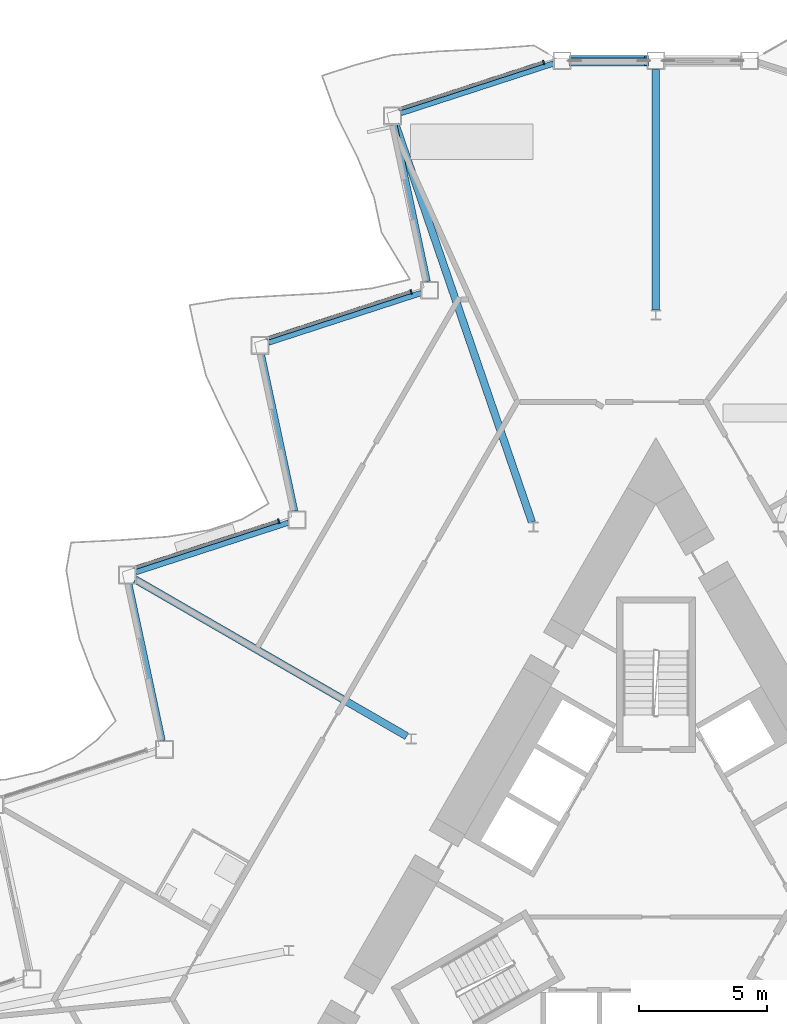
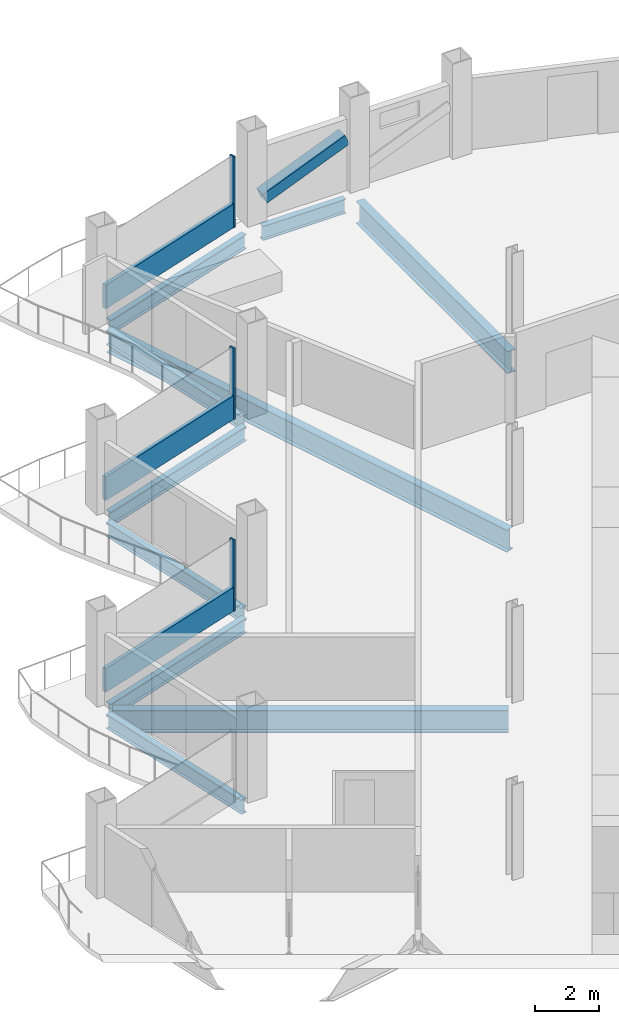
# One storey, part 8 of 23: 10 beams, 7 members, 3 elements without a shape of their own.
"""IFC4 building model written with IfcOpenShell, lengths in metres."""

from ifc_helpers import new_model, si_unit, direction, frame, origin, origin_2d, place, context, subcontext, project, spatial, rectangle, hollow_rectangle, i_section, extrude, material, layer, layer_set, material_profile, profile_set, type_object, element, aggregate, save


model = new_model("IFC4")

# Units and contexts
model_context = context("Model", 3, precision=1e-05, world=origin(), true_north=direction((0.0, 1.0)))
body_context = subcontext(model_context, "Body", "Model", "MODEL_VIEW")
ifc_project = project(units=[si_unit("LENGTHUNIT", "METRE"), si_unit("AREAUNIT", "SQUARE_METRE"), si_unit("VOLUMEUNIT", "CUBIC_METRE"), si_unit("PLANEANGLEUNIT", "RADIAN"), si_unit("MASSUNIT", "GRAM", prefix="KILO")], contexts=[model_context])

# Site, building, storey
site_placement = place(None, origin())
site = spatial("IfcSite", under=ifc_project, at=site_placement, CompositionType="ELEMENT")
building_placement = place(site_placement, origin())
building = spatial("IfcBuilding", under=site, at=building_placement, Name="Cormorant Prow Tower", CompositionType="ELEMENT")
storey_placement = place(building_placement, frame((0.0, 0.0, 263.39990234375)))
storey = spatial("IfcBuildingStorey", under=building, at=storey_placement, Name="L59", CompositionType="ELEMENT", Elevation=263.39990234375)

# Member
ifc_material_1 = material(Name="Structural steel ASTM A500 Gr C", Category="steel")
ifc_material_profile_1 = material_profile(ifc_material_1, hollow_rectangle(XDim=0.406494140625, YDim=0.406494140625, WallThickness=0.01171875, at=origin_2d()), Name="HSS16x16x1/2")
ifc_profile_set_1 = profile_set([ifc_material_profile_1], Name="Structural steel ASTM A500 Gr C")
member_type_1 = type_object("IfcMemberType", Name="Chamfer brace HSS16x16x1/2", PredefinedType="BRACE", material=ifc_profile_set_1)
member_1_placement = place(storey_placement, frame((-3.3046875, 32.073486328125, 0.74951171875), z_axis=(0.925591042089, 0.0, 0.37852506232), x_axis=(0.0, 1.0, 0.0)))
element("IfcMember", 1, at=member_1_placement, inside=storey, type_object=member_type_1, Name="Chamfer brace BR2 at N01 L59", PredefinedType="BRACE", context=body_context, shape_type="SweptSolid", body=[
    extrude(hollow_rectangle(XDim=0.406494140625, YDim=0.406494140625, WallThickness=0.01171875, at=origin_2d()), origin(), (0.0, 0.0, 1.0), 3.17529296875),
])

# Curtain wall, member
ifc_material_2 = material(Name="Aluminium 6063-T6", Category="aluminium")
ifc_layer = layer(ifc_material_2, 0.179931640625)
ifc_layer_set = layer_set([ifc_layer], Name="Aluminium 6063-T6")
curtain_wall_type = type_object("IfcCurtainWallType", Name="Hotel unitised curtain wall 180", PredefinedType="NOTDEFINED", material=ifc_layer_set)
curtain_wall_1_placement = place(storey_placement, origin())
curtain_wall_1 = element("IfcCurtainWall", 2, at=curtain_wall_1_placement, inside=storey, type_object=curtain_wall_type, Name="Hotel curtain wall WNW00", PredefinedType="NOTDEFINED")
ifc_material_3 = material(Name="Aluminium 6063-T6", Category="aluminium")
ifc_material_profile_2 = material_profile(ifc_material_3, rectangle(XDim=0.179931640625, YDim=0.06005859375, at=origin_2d()), Name="Hotel mullion 60x180")
ifc_profile_set_2 = profile_set([ifc_material_profile_2], Name="Aluminium 6063-T6")
member_type_2 = type_object("IfcMemberType", Name="Hotel mullion 60x180", PredefinedType="MULLION", material=ifc_profile_set_2)
member_2_placement = place(storey_placement, frame((-4.39794921875, 32.005615234375, 0.0), z_axis=(0.0, 0.0, 1.0), x_axis=(0.309017039973, -0.95105650148, 0.0)))
member_2 = element("IfcMember", 3, at=member_2_placement, type_object=member_type_2, Name="Hotel mullion WNW00", PredefinedType="MULLION", context=body_context, shape_type="SweptSolid", body=[
    extrude(rectangle(XDim=0.179931640625, YDim=0.06005859375, at=origin_2d()), origin(), (0.0, 0.0, 1.0), 2.700927734375),
])

curtain_wall_2_placement = place(storey_placement, origin())
curtain_wall_2 = element("IfcCurtainWall", 4, at=curtain_wall_2_placement, inside=storey, type_object=curtain_wall_type, Name="Hotel curtain wall WNW02", PredefinedType="NOTDEFINED")
member_3_placement = place(storey_placement, frame((-9.58056640625, 23.029052734375, 0.0), z_axis=(0.0, 0.0, 1.0), x_axis=(0.309016997828, -0.951056515173, 0.0)))
member_3 = element("IfcMember", 5, at=member_3_placement, type_object=member_type_2, Name="Hotel mullion WNW02", PredefinedType="MULLION", context=body_context, shape_type="SweptSolid", body=[
    extrude(rectangle(XDim=0.179931640625, YDim=0.06005859375, at=origin_2d()), origin(), (0.0, 0.0, 1.0), 2.700927734375),
])

curtain_wall_3_placement = place(storey_placement, origin())
curtain_wall_3 = element("IfcCurtainWall", 6, at=curtain_wall_3_placement, inside=storey, type_object=curtain_wall_type, Name="Hotel curtain wall WNW04", PredefinedType="NOTDEFINED")
member_4_placement = place(storey_placement, frame((-14.763427734375, 14.052490234375, 0.0), z_axis=(0.0, 0.0, 1.0), x_axis=(0.309016997828, -0.951056515173, 0.0)))
member_4 = element("IfcMember", 7, at=member_4_placement, type_object=member_type_2, Name="Hotel mullion WNW04", PredefinedType="MULLION", context=body_context, shape_type="SweptSolid", body=[
    extrude(rectangle(XDim=0.179931640625, YDim=0.06005859375, at=origin_2d()), origin(), (0.0, 0.0, 1.0), 2.700927734375),
])

# Member
ifc_material_4 = material(Name="Terracotta", Category="masonry")
ifc_material_profile_3 = material_profile(ifc_material_4, rectangle(XDim=0.139892578125, YDim=0.89990234375, at=origin_2d()), Name="Hotel terracotta spandrel rail 140x900")
ifc_profile_set_3 = profile_set([ifc_material_profile_3], Name="Terracotta")
member_type_3 = type_object("IfcMemberType", Name="Hotel terracotta spandrel rail 140x900", PredefinedType="USERDEFINED", material=ifc_profile_set_3)
member_5_placement = place(storey_placement, frame((-4.426513671875, 31.996337890625, 0.4501953125), z_axis=(-0.951055309952, -0.309020707094, 0.0), x_axis=(0.309020707094, -0.951055309952, 0.0)))
member_5 = element("IfcMember", 8, at=member_5_placement, type_object=member_type_3, Name="Hotel spandrel rail WNW00", ObjectType="TRANSOM", PredefinedType="USERDEFINED", context=body_context, shape_type="SweptSolid", body=[
    extrude(rectangle(XDim=0.139892578125, YDim=0.89990234375, at=origin_2d()), origin(), (0.0, 0.0, 1.0), 5.911865234375),
])

aggregate(curtain_wall_1, [member_2, member_5])

member_6_placement = place(storey_placement, frame((-9.609130859375, 23.019775390625, 0.4501953125), z_axis=(-0.951055309952, -0.309020707094, 0.0), x_axis=(0.309020707094, -0.951055309952, 0.0)))
member_6 = element("IfcMember", 9, at=member_6_placement, type_object=member_type_3, Name="Hotel spandrel rail WNW02", ObjectType="TRANSOM", PredefinedType="USERDEFINED", context=body_context, shape_type="SweptSolid", body=[
    extrude(rectangle(XDim=0.139892578125, YDim=0.89990234375, at=origin_2d()), origin(), (0.0, 0.0, 1.0), 5.911865234375),
])

aggregate(curtain_wall_2, [member_3, member_6])

member_7_placement = place(storey_placement, frame((-14.791748046875, 14.043212890625, 0.4501953125), z_axis=(-0.951059253266, -0.309008570717, 0.0), x_axis=(0.309008570717, -0.951059253266, 0.0)))
member_7 = element("IfcMember", 10, at=member_7_placement, type_object=member_type_3, Name="Hotel spandrel rail WNW04", ObjectType="TRANSOM", PredefinedType="USERDEFINED", context=body_context, shape_type="SweptSolid", body=[
    extrude(rectangle(XDim=0.139892578125, YDim=0.89990234375, at=origin_2d()), origin(), (0.0, 0.0, 1.0), 5.912109375),
])

aggregate(curtain_wall_3, [member_4, member_7])

# Beams
ifc_material_5 = material(Name="Structural steel ASTM A992 Gr 50", Category="steel")
ifc_material_profile_4 = material_profile(ifc_material_5, i_section(OverallWidth=0.29296875, OverallDepth=0.845703125, WebThickness=0.015380859375, FlangeThickness=0.0244140625, at=origin_2d()), Name="W33x141")
ifc_profile_set_4 = profile_set([ifc_material_profile_4], Name="Structural steel ASTM A992 Gr 50")
beam_type_1 = type_object("IfcBeamType", Name="Radial floor beam W33x141", PredefinedType="BEAM", material=ifc_profile_set_4)
beam_1_placement = place(storey_placement, frame((0.0, 22.320068359375, -0.772705078125), z_axis=(0.0, 1.0, 0.0), x_axis=(-1.0, 0.0, 0.0)))
element("IfcBeam", 11, at=beam_1_placement, inside=storey, type_object=beam_type_1, Name="Radial floor beam FB2 1 L59", PredefinedType="BEAM", context=body_context, shape_type="SweptSolid", body=[
    extrude(i_section(OverallWidth=0.29296875, OverallDepth=0.845703125, WebThickness=0.015380859375, FlangeThickness=0.0244140625, at=origin_2d()), origin(), (0.0, 0.0, 1.0), 9.4033203125),
])
beam_2_placement = place(storey_placement, frame((-4.85400390625, 14.013916015625, -0.772705078125), z_axis=(-0.324535507117, 0.945873514071, 0.0), x_axis=(-0.945873514071, -0.324535507117, 0.0)))
element("IfcBeam", 12, at=beam_2_placement, inside=storey, type_object=beam_type_1, Name="Radial floor beam FB2 2 L59", PredefinedType="BEAM", context=body_context, shape_type="SweptSolid", body=[
    extrude(i_section(OverallWidth=0.29296875, OverallDepth=0.845703125, WebThickness=0.015380859375, FlangeThickness=0.0244140625, at=origin_2d()), origin(), (0.0, 0.0, 1.0), 16.462158203125),
])
beam_3_placement = place(storey_placement, frame((-9.751220703125, 5.6298828125, -0.772705078125), z_axis=(-0.866021995826, 0.500005902711, 0.0), x_axis=(-0.500005902711, -0.866021995826, 0.0)))
element("IfcBeam", 13, at=beam_3_placement, inside=storey, type_object=beam_type_1, Name="Radial floor beam FB2 3 L59", PredefinedType="BEAM", context=body_context, shape_type="SweptSolid", body=[
    extrude(i_section(OverallWidth=0.29296875, OverallDepth=0.845703125, WebThickness=0.015380859375, FlangeThickness=0.0244140625, at=origin_2d()), origin(), (0.0, 0.0, 1.0), 12.277099609375),
])
ifc_material_6 = material(Name="Structural steel ASTM A992 Gr 50", Category="steel")
ifc_material_profile_5 = material_profile(ifc_material_6, i_section(OverallWidth=0.2138671875, OverallDepth=0.549072265625, WebThickness=0.0146484375, FlangeThickness=0.023681640625, at=origin_2d()), Name="W21x93")
ifc_profile_set_5 = profile_set([ifc_material_profile_5], Name="Structural steel ASTM A992 Gr 50")
beam_type_2 = type_object("IfcBeamType", Name="Spandrel beam W21x93", PredefinedType="SPANDREL", material=ifc_profile_set_5)
beam_4_placement = place(storey_placement, frame((-0.35009765625, 32.073486328125, -0.62451171875), z_axis=(-1.0, 0.0, 0.0), x_axis=(0.0, -1.0, 0.0)))
element("IfcBeam", 14, at=beam_4_placement, inside=storey, type_object=beam_type_2, Name="Spandrel beam SB2 N01-WNW00 L59", PredefinedType="SPANDREL", context=body_context, shape_type="SweptSolid", body=[
    extrude(i_section(OverallWidth=0.2138671875, OverallDepth=0.549072265625, WebThickness=0.0146484375, FlangeThickness=0.023681640625, at=origin_2d()), origin(), (0.0, 0.0, 1.0), 2.97021484375),
])
for number, where, z_axis, x_axis, name in (
    (15, (-4.003173828125, 31.96533203125, -0.62451171875), (-0.951054060056, -0.309024553801, 0.0), (0.309024553801, -0.951054060056, 0.0), "Spandrel beam SB2 WNW00-WNW01 L59"),
    (16, (-10.2373046875, 29.57373046875, -0.62451171875), (0.207896407679, -0.97815084914, 0.0), (0.97815084914, 0.207896407679, 0.0), "Spandrel beam SB2 WNW01-WNW02 L59"),
):
    element("IfcBeam", number, at=place(storey_placement, frame(where, z_axis=z_axis, x_axis=x_axis)), inside=storey, type_object=beam_type_2, Name=name, PredefinedType="SPANDREL", context=body_context, shape_type="SweptSolid", body=[
        extrude(i_section(OverallWidth=0.2138671875, OverallDepth=0.549072265625, WebThickness=0.0146484375, FlangeThickness=0.023681640625, at=origin_2d()), origin(), (0.0, 0.0, 1.0), 6.281494140625),
    ])
beam_5_placement = place(storey_placement, frame((-9.191650390625, 22.97900390625, -0.62451171875), z_axis=(-0.951050348284, -0.309035976918, 0.0), x_axis=(0.309035976918, -0.951050348284, 0.0)))
element("IfcBeam", 17, at=beam_5_placement, inside=storey, type_object=beam_type_2, Name="Spandrel beam SB2 WNW02-WNW03 L59", PredefinedType="SPANDREL", context=body_context, shape_type="SweptSolid", body=[
    extrude(i_section(OverallWidth=0.2138671875, OverallDepth=0.549072265625, WebThickness=0.0146484375, FlangeThickness=0.023681640625, at=origin_2d()), origin(), (0.0, 0.0, 1.0), 6.28125),
])
beam_6_placement = place(storey_placement, frame((-15.42578125, 20.58740234375, -0.62451171875), z_axis=(0.207933593793, -0.978142944856, 0.0), x_axis=(0.978142944856, 0.207933593793, 0.0)))
element("IfcBeam", 18, at=beam_6_placement, inside=storey, type_object=beam_type_2, Name="Spandrel beam SB2 WNW03-WNW04 L59", PredefinedType="SPANDREL", context=body_context, shape_type="SweptSolid", body=[
    extrude(i_section(OverallWidth=0.2138671875, OverallDepth=0.549072265625, WebThickness=0.0146484375, FlangeThickness=0.023681640625, at=origin_2d()), origin(), (0.0, 0.0, 1.0), 6.281494140625),
])
beam_7_placement = place(storey_placement, frame((-14.3798828125, 13.99267578125, -0.62451171875), z_axis=(-0.951050348284, -0.309035976918, 0.0), x_axis=(0.309035976918, -0.951050348284, 0.0)))
element("IfcBeam", 19, at=beam_7_placement, inside=storey, type_object=beam_type_2, Name="Spandrel beam SB2 WNW04-WNW05 L59", PredefinedType="SPANDREL", context=body_context, shape_type="SweptSolid", body=[
    extrude(i_section(OverallWidth=0.2138671875, OverallDepth=0.549072265625, WebThickness=0.0146484375, FlangeThickness=0.023681640625, at=origin_2d()), origin(), (0.0, 0.0, 1.0), 6.28125),
])
beam_8_placement = place(storey_placement, frame((-20.614013671875, 11.60107421875, -0.62451171875), z_axis=(0.207933593793, -0.978142944856, 0.0), x_axis=(0.978142944856, 0.207933593793, 0.0)))
element("IfcBeam", 20, at=beam_8_placement, inside=storey, type_object=beam_type_2, Name="Spandrel beam SB2 WNW05-WNW06 L59", PredefinedType="SPANDREL", context=body_context, shape_type="SweptSolid", body=[
    extrude(i_section(OverallWidth=0.2138671875, OverallDepth=0.549072265625, WebThickness=0.0146484375, FlangeThickness=0.023681640625, at=origin_2d()), origin(), (0.0, 0.0, 1.0), 6.281494140625),
])

save(model, "model.ifc")
